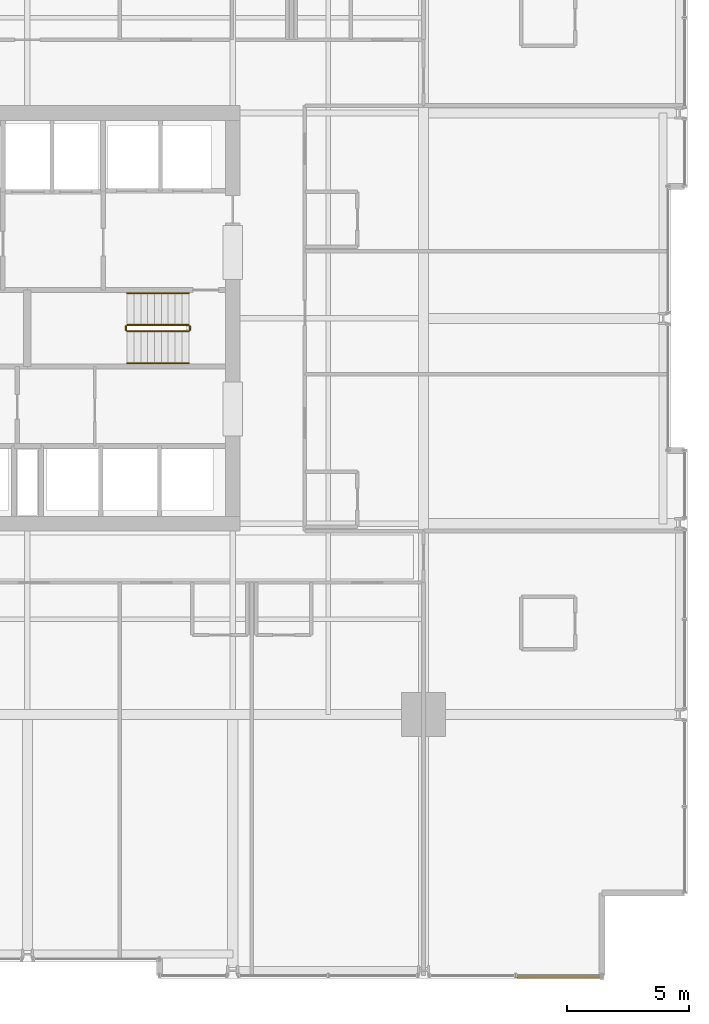
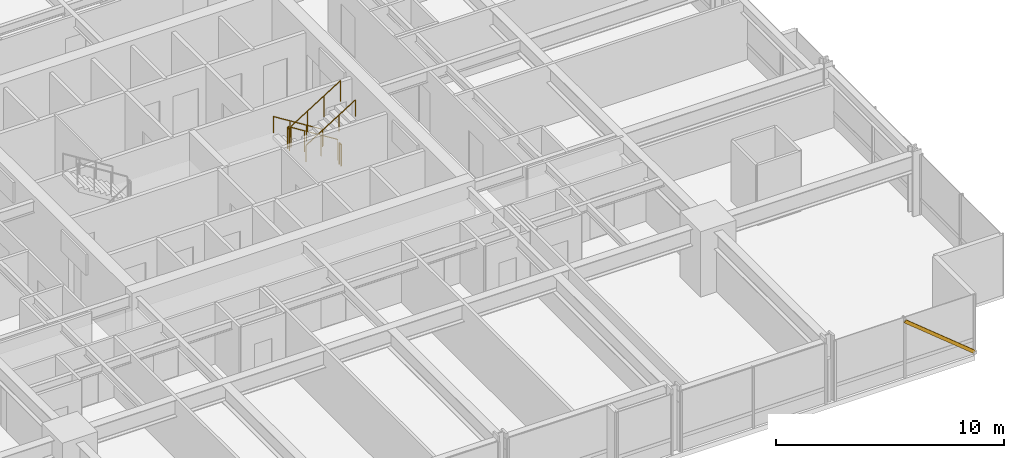
# One storey, part 38 of 39: 6 railings, 1 shading device.
"""IFC4 building model written with IfcOpenShell, lengths in metres."""

from ifc_helpers import new_model, si_unit, direction, frame, origin, origin_2d, place, context, subcontext, project, spatial, hollow_rectangle, circle, extrude, material, material_profile, profile_set, type_object, element, save


model = new_model("IFC4")

# Units and contexts
model_context = context("Model", 3, precision=1e-05, world=origin(), true_north=direction((0.0, 1.0)))
body_context = subcontext(model_context, "Body", "Model", "MODEL_VIEW")
ifc_project = project(units=[si_unit("LENGTHUNIT", "METRE"), si_unit("AREAUNIT", "SQUARE_METRE"), si_unit("VOLUMEUNIT", "CUBIC_METRE"), si_unit("PLANEANGLEUNIT", "RADIAN"), si_unit("MASSUNIT", "GRAM", prefix="KILO")], contexts=[model_context])

# Site, building, storey
site_placement = place(None, origin())
site = spatial("IfcSite", under=ifc_project, at=site_placement, CompositionType="ELEMENT")
building_placement = place(site_placement, origin())
building = spatial("IfcBuilding", under=site, at=building_placement, Name="Drelvath Grand Hotel", CompositionType="ELEMENT")
storey_placement = place(building_placement, frame((0.0, 0.0, 54.199951171875)))
storey = spatial("IfcBuildingStorey", under=building, at=storey_placement, Name="L12", CompositionType="ELEMENT", Elevation=54.199951171875)

# Railings
ifc_material_1 = material(Name="Painted Steel S275", Category="steel")
railing_type_1 = type_object("IfcRailingType", Name="Core Stair Wall Handrail 900", PredefinedType="HANDRAIL", material=ifc_material_1)
railing_1_placement = place(storey_placement, frame((6.60009765625, 28.030029296875, 0.175048828125)))
element("IfcRailing", 1, at=railing_1_placement, inside=storey, type_object=railing_type_1, Name="L12 ST-2 stair handrail 1", PredefinedType="HANDRAIL", context=body_context, shape_type="SweptSolid", body=[
    extrude(circle(Radius=0.02392578125, at=origin_2d()), frame((0.0, 0.0, 0.8759765625), z_axis=(-0.848007534815, 0.0, 0.529984170421), x_axis=(0.0, -1.0, 0.0)), (0.0, 0.0, 1.0), 2.9716796875),
    extrude(circle(Radius=0.02099609375, at=origin_2d()), origin(), (0.0, 0.0, 1.0), 0.851806640625),
    extrude(circle(Radius=0.02099609375, at=origin_2d()), frame((-0.840087890625, 0.0, 0.52490234375)), (0.0, 0.0, 1.0), 0.851806640625),
    extrude(circle(Radius=0.02099609375, at=origin_2d()), frame((-1.679931640625, 0.0, 1.050048828125)), (0.0, 0.0, 1.0), 0.851806640625),
    extrude(circle(Radius=0.02099609375, at=origin_2d()), frame((-2.52001953125, 0.0, 1.574951171875)), (0.0, 0.0, 1.0), 0.851806640625),
])
railing_2_placement = place(storey_placement, frame((4.080078125, 25.169921875, 1.925048828125)))
element("IfcRailing", 2, at=railing_2_placement, inside=storey, type_object=railing_type_1, Name="L12 ST-2 stair handrail 2", PredefinedType="HANDRAIL", context=body_context, shape_type="SweptSolid", body=[
    extrude(circle(Radius=0.02392578125, at=origin_2d()), frame((0.0, 0.0, 0.8759765625), z_axis=(0.848007534815, 0.0, 0.529984170421), x_axis=(0.0, 1.0, 0.0)), (0.0, 0.0, 1.0), 2.9716796875),
    extrude(circle(Radius=0.02099609375, at=origin_2d()), origin(), (0.0, 0.0, 1.0), 0.851806640625),
    extrude(circle(Radius=0.02099609375, at=origin_2d()), frame((0.840087890625, 0.0, 0.52490234375)), (0.0, 0.0, 1.0), 0.851806640625),
    extrude(circle(Radius=0.02099609375, at=origin_2d()), frame((1.679931640625, 0.0, 1.050048828125)), (0.0, 0.0, 1.0), 0.851806640625),
    extrude(circle(Radius=0.02099609375, at=origin_2d()), frame((2.52001953125, 0.0, 1.574951171875)), (0.0, 0.0, 1.0), 0.851806640625),
])
railing_type_2 = type_object("IfcRailingType", Name="Core Stair Well Guardrail 1100", PredefinedType="GUARDRAIL", material=ifc_material_1)
railing_3_placement = place(storey_placement, frame((6.60009765625, 26.72998046875, 0.175048828125)))
element("IfcRailing", 3, at=railing_3_placement, inside=storey, type_object=railing_type_2, Name="L12 ST-2 stair guard 1", PredefinedType="GUARDRAIL", context=body_context, shape_type="SweptSolid", body=[
    extrude(circle(Radius=0.02392578125, at=origin_2d()), frame((0.0, 0.0, 1.1259765625), z_axis=(-0.848007534815, 0.0, 0.529984170421), x_axis=(0.0, -1.0, 0.0)), (0.0, 0.0, 1.0), 2.9716796875),
    extrude(circle(Radius=0.02099609375, at=origin_2d()), origin(), (0.0, 0.0, 1.0), 1.101806640625),
    extrude(circle(Radius=0.02099609375, at=origin_2d()), frame((-0.840087890625, 0.0, 0.52490234375)), (0.0, 0.0, 1.0), 1.101806640625),
    extrude(circle(Radius=0.02099609375, at=origin_2d()), frame((-1.679931640625, 0.0, 1.050048828125)), (0.0, 0.0, 1.0), 1.101806640625),
    extrude(circle(Radius=0.02099609375, at=origin_2d()), frame((-2.52001953125, 0.0, 1.574951171875)), (0.0, 0.0, 1.0), 1.101806640625),
])
railing_4_placement = place(storey_placement, frame((4.030029296875, 26.679931640625, 1.75)))
element("IfcRailing", 4, at=railing_4_placement, inside=storey, type_object=railing_type_2, Name="L12 ST-2 stair guard 2", PredefinedType="GUARDRAIL", context=body_context, shape_type="SweptSolid", body=[
    extrude(circle(Radius=0.02392578125, at=origin_2d()), frame((0.0, 0.0, 1.1259765625), z_axis=(0.0, -1.0, 0.0), x_axis=(1.0, 0.0, 0.0)), (0.0, 0.0, 1.0), 0.159912109375),
    extrude(circle(Radius=0.02099609375, at=origin_2d()), origin(), (0.0, 0.0, 1.0), 1.101806640625),
    extrude(circle(Radius=0.02099609375, at=origin_2d()), frame((0.0, -0.159912109375, 0.0)), (0.0, 0.0, 1.0), 1.101806640625),
])
railing_5_placement = place(storey_placement, frame((4.080078125, 26.469970703125, 1.925048828125)))
element("IfcRailing", 5, at=railing_5_placement, inside=storey, type_object=railing_type_2, Name="L12 ST-2 stair guard 3", PredefinedType="GUARDRAIL", context=body_context, shape_type="SweptSolid", body=[
    extrude(circle(Radius=0.02392578125, at=origin_2d()), frame((0.0, 0.0, 1.1259765625), z_axis=(0.848007534815, 0.0, 0.529984170421), x_axis=(0.0, 1.0, 0.0)), (0.0, 0.0, 1.0), 2.9716796875),
    extrude(circle(Radius=0.02099609375, at=origin_2d()), origin(), (0.0, 0.0, 1.0), 1.101806640625),
    extrude(circle(Radius=0.02099609375, at=origin_2d()), frame((0.840087890625, 0.0, 0.52490234375)), (0.0, 0.0, 1.0), 1.101806640625),
    extrude(circle(Radius=0.02099609375, at=origin_2d()), frame((1.679931640625, 0.0, 1.050048828125)), (0.0, 0.0, 1.0), 1.101806640625),
    extrude(circle(Radius=0.02099609375, at=origin_2d()), frame((2.52001953125, 0.0, 1.574951171875)), (0.0, 0.0, 1.0), 1.101806640625),
])
railing_6_placement = place(storey_placement, frame((6.64990234375, 26.679931640625, 0.0)))
element("IfcRailing", 6, at=railing_6_placement, inside=storey, type_object=railing_type_2, Name="L12 ST-2 stair guard 4", PredefinedType="GUARDRAIL", context=body_context, shape_type="SweptSolid", body=[
    extrude(circle(Radius=0.02392578125, at=origin_2d()), frame((0.0, 0.0, 1.1259765625), z_axis=(0.0, -1.0, 0.0), x_axis=(1.0, 0.0, 0.0)), (0.0, 0.0, 1.0), 0.159912109375),
    extrude(circle(Radius=0.02099609375, at=origin_2d()), origin(), (0.0, 0.0, 1.0), 1.101806640625),
    extrude(circle(Radius=0.02099609375, at=origin_2d()), frame((0.0, -0.159912109375, 0.0)), (0.0, 0.0, 1.0), 1.101806640625),
])

# Shading device
ifc_material_2 = material(Name="Warm Bronze Anodised Aluminium", Category="aluminium")
ifc_material_profile = material_profile(ifc_material_2, hollow_rectangle(XDim=0.06494140625, YDim=0.159912109375, WallThickness=0.00390625, at=origin_2d()), Name="HSS160X65X4")
ifc_profile_set = profile_set([ifc_material_profile], Name="Warm Bronze Anodised Aluminium")
shading_device_type = type_object("IfcShadingDeviceType", Name="Diagonal Solar Fin Warm Bronze Anodised HSS160X65X4", PredefinedType="USERDEFINED", material=ifc_profile_set)
shading_device_placement = place(storey_placement, frame((23.5, 0.0400390625, 0.179931640625), z_axis=(-0.774782809762, 0.0, 0.632227488882), x_axis=(0.0, -1.0, 0.0)))
element("IfcShadingDevice", 7, at=shading_device_placement, inside=storey, type_object=shading_device_type, Name="L12 Diagonal Anodised Fin CW02-L12-SE3", ObjectType="FIN", PredefinedType="USERDEFINED", context=body_context, shape_type="SweptSolid", body=[
    extrude(hollow_rectangle(XDim=0.06494140625, YDim=0.159912109375, WallThickness=0.00390625, at=origin_2d()), origin(), (0.0, 0.0, 1.0), 4.555419921875),
])

save(model, "model.ifc")
